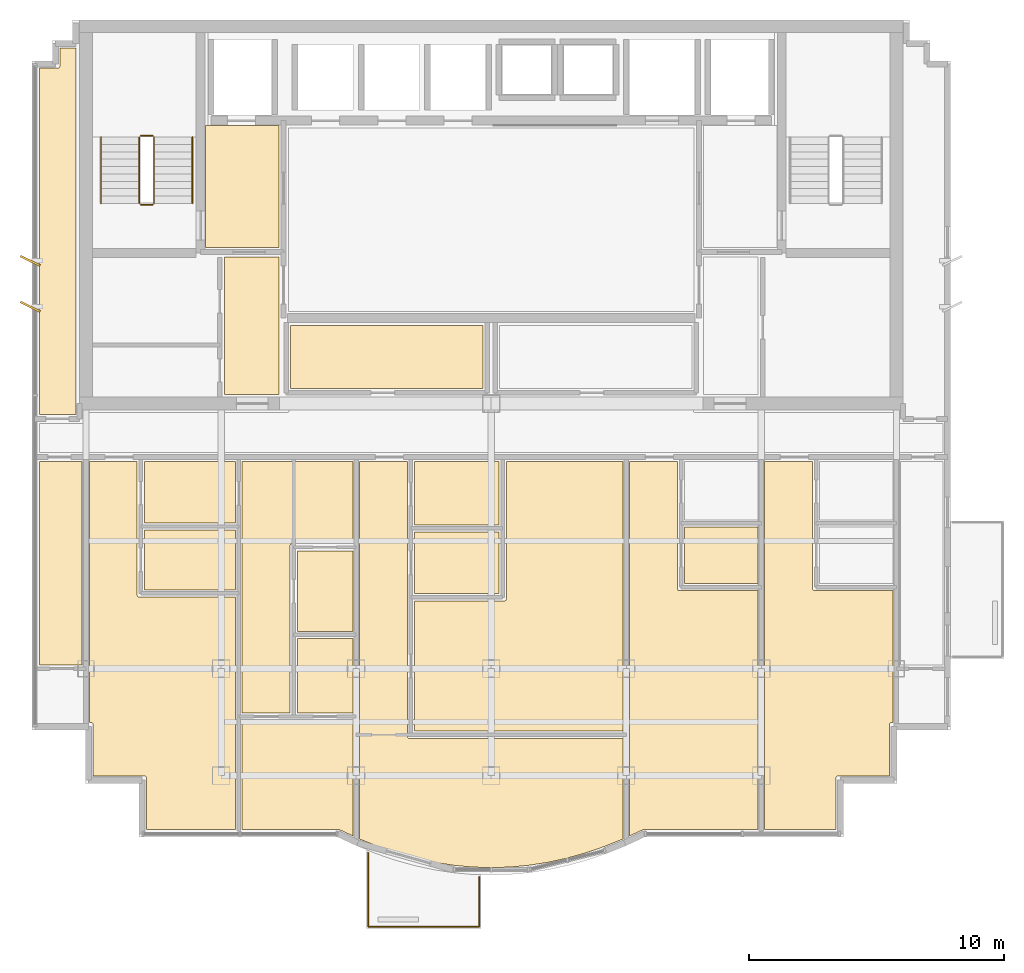
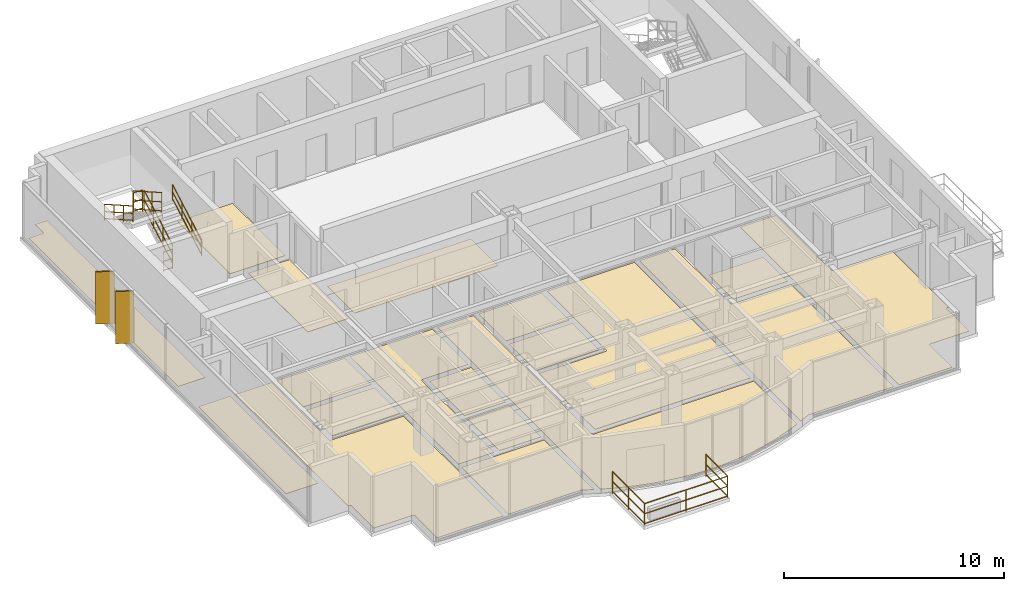
# One storey, part 8 of 9: 19 coverings, 7 railings, 2 shading devices.
"""IFC4 building model written with IfcOpenShell, lengths in metres."""

from ifc_helpers import new_model, si_unit, direction, frame, origin, origin_2d, place, context, subcontext, project, spatial, polyline, rectangle, circle, outline, extrude, source, transform, mapped, material, layer, layer_set, type_object, element, save


model = new_model("IFC4")

# Units and contexts
model_context = context("Model", 3, precision=1e-05, world=origin(), true_north=direction((0.0, 1.0)))
body_context = subcontext(model_context, "Body", "Model", "MODEL_VIEW")
ifc_project = project(units=[si_unit("LENGTHUNIT", "METRE"), si_unit("AREAUNIT", "SQUARE_METRE"), si_unit("VOLUMEUNIT", "CUBIC_METRE"), si_unit("PLANEANGLEUNIT", "RADIAN"), si_unit("MASSUNIT", "GRAM", prefix="KILO")], contexts=[model_context])

# Site, building, storey
site_placement = place(None, origin())
site = spatial("IfcSite", under=ifc_project, at=site_placement, CompositionType="ELEMENT")
building_placement = place(site_placement, origin())
building = spatial("IfcBuilding", under=site, at=building_placement, Name="Qianlan Lanfeng Residences", CompositionType="ELEMENT")
storey_placement = place(building_placement, frame((0.0, 0.0, 246.199951171875)))
storey = spatial("IfcBuildingStorey", under=building, at=storey_placement, Name="L68", CompositionType="ELEMENT", Elevation=246.199951171875)

# Coverings
ifc_material_1 = material(Name="Honed Taitung Granite Stone Flooring", Category="masonry")
ifc_layer_1 = layer(ifc_material_1, 0.030029296875)
ifc_layer_set_1 = layer_set([ifc_layer_1], Name="Honed Taitung Granite Stone Flooring")
covering_type_1 = type_object("IfcCoveringType", Name="FLR-STN-30", PredefinedType="FLOORING", material=ifc_layer_set_1)
covering_1_placement = place(storey_placement, origin())
element("IfcCovering", 1, at=covering_1_placement, inside=storey, type_object=covering_type_1, Name="L68 Firefighting Lift Lobby Floor Finish", PredefinedType="FLOORING", context=body_context, shape_type="SweptSolid", body=[
    extrude(outline(polyline([(15.2900390625, 31.320068359375), (18.179931640625, 31.320068359375), (18.179931640625, 36.110107421875), (15.2900390625, 36.110107421875), (15.2900390625, 31.320068359375)])), origin(), (0.0, 0.0, 1.0), 0.030029296875),
])
covering_2_placement = place(storey_placement, origin())
element("IfcCovering", 2, at=covering_2_placement, inside=storey, type_object=covering_type_1, Name="L68 Lift Lobby Floor Finish", PredefinedType="FLOORING", context=body_context, shape_type="SweptSolid", body=[
    extrude(outline(polyline([(16.030029296875, 25.56005859375), (18.169921875, 25.56005859375), (18.169921875, 30.949951171875), (16.030029296875, 30.949951171875), (16.030029296875, 25.56005859375)])), origin(), (0.0, 0.0, 1.0), 0.030029296875),
])
ifc_material_2 = material(Name="Slip-Resistant Porcelain Tile Flooring")
ifc_layer_2 = layer(ifc_material_2, 0.02001953125)
ifc_layer_set_2 = layer_set([ifc_layer_2], Name="Slip-Resistant Porcelain Tile Flooring")
covering_type_2 = type_object("IfcCoveringType", Name="FLR-TIL-20", PredefinedType="FLOORING", material=ifc_layer_set_2)
covering_3_placement = place(storey_placement, origin())
element("IfcCovering", 3, at=covering_3_placement, inside=storey, type_object=covering_type_2, Name="L68 Kitchen Floor Finish", PredefinedType="FLOORING", context=body_context, shape_type="SweptSolid", body=[
    extrude(outline(polyline([(12.889892578125, 17.89306640625), (16.4599609375, 17.89306640625), (16.4599609375, 20.237060546875), (12.889892578125, 20.237060546875), (12.889892578125, 17.89306640625)])), origin(), (0.0, 0.0, 1.0), 0.02001953125),
])
covering_4_placement = place(storey_placement, origin())
element("IfcCovering", 4, at=covering_4_placement, inside=storey, type_object=covering_type_2, Name="L68 Bathroom Floor Finish", PredefinedType="FLOORING", context=body_context, shape_type="SweptSolid", body=[
    extrude(outline(polyline([(12.889892578125, 20.51708984375), (16.4599609375, 20.51708984375), (16.4599609375, 22.929931640625), (12.889892578125, 22.929931640625), (12.889892578125, 20.51708984375)])), origin(), (0.0, 0.0, 1.0), 0.02001953125),
])
covering_5_placement = place(storey_placement, origin())
element("IfcCovering", 5, at=covering_5_placement, inside=storey, type_object=covering_type_2, Name="L68 En-Suite Bathroom Floor Finish", PredefinedType="FLOORING", context=body_context, shape_type="SweptSolid", body=[
    extrude(outline(polyline([(18.889892578125, 13.06005859375), (21.070068359375, 13.06005859375), (21.070068359375, 15.97998046875), (18.889892578125, 15.97998046875), (18.889892578125, 13.06005859375)])), origin(), (0.0, 0.0, 1.0), 0.02001953125),
])
covering_6_placement = place(storey_placement, origin())
element("IfcCovering", 6, at=covering_6_placement, inside=storey, type_object=covering_type_2, Name="L68 Kitchen Floor Finish", PredefinedType="FLOORING", context=body_context, shape_type="SweptSolid", body=[
    extrude(outline(polyline([(23.489990234375, 17.739990234375), (26.81005859375, 17.739990234375), (26.81005859375, 20.159912109375), (23.489990234375, 20.159912109375), (23.489990234375, 17.739990234375)])), origin(), (0.0, 0.0, 1.0), 0.02001953125),
])
covering_7_placement = place(storey_placement, origin())
element("IfcCovering", 7, at=covering_7_placement, inside=storey, type_object=covering_type_2, Name="L68 Bathroom Floor Finish", PredefinedType="FLOORING", context=body_context, shape_type="SweptSolid", body=[
    extrude(outline(polyline([(23.489990234375, 20.43994140625), (26.81005859375, 20.43994140625), (26.81005859375, 22.929931640625), (23.489990234375, 22.929931640625), (23.489990234375, 20.43994140625)])), origin(), (0.0, 0.0, 1.0), 0.02001953125),
])
covering_8_placement = place(storey_placement, origin())
element("IfcCovering", 8, at=covering_8_placement, inside=storey, type_object=covering_type_2, Name="L68 Kitchen Floor Finish", PredefinedType="FLOORING", context=body_context, shape_type="SweptSolid", body=[
    extrude(outline(polyline([(34.090087890625, 18.139892578125), (36.9599609375, 18.139892578125), (36.9599609375, 20.360107421875), (34.090087890625, 20.360107421875), (34.090087890625, 18.139892578125)])), origin(), (0.0, 0.0, 1.0), 0.02001953125),
])
ifc_material_3 = material(Name="Engineered Smoked Oak Timber Flooring", Category="wood")
ifc_layer_3 = layer(ifc_material_3, 0.02197265625)
ifc_layer_set_3 = layer_set([ifc_layer_3], Name="Engineered Smoked Oak Timber Flooring")
covering_type_3 = type_object("IfcCoveringType", Name="FLR-TIM-22", PredefinedType="FLOORING", material=ifc_layer_set_3)
covering_9_placement = place(storey_placement, origin())
element("IfcCovering", 9, at=covering_9_placement, inside=storey, type_object=covering_type_3, Name="L68 Gallery Salon Floor Finish", PredefinedType="FLOORING", context=body_context, shape_type="SweptSolid", body=[
    extrude(outline(polyline([(18.6298828125, 25.800048828125), (26.169921875, 25.800048828125), (26.169921875, 28.2548828125), (18.6298828125, 28.2548828125), (18.6298828125, 25.800048828125)])), origin(), (0.0, 0.0, 1.0), 0.02197265625),
])
covering_10_placement = place(storey_placement, origin())
element("IfcCovering", 10, at=covering_10_placement, inside=storey, type_object=covering_type_3, Name="L68 Living and Dining Room Floor Finish", PredefinedType="FLOORING", context=body_context, shape_type="SweptSolid", body=[
    extrude(outline(polyline([(16.469970703125, 8.489990234375), (16.469970703125, 17.613037109375), (12.679931640625, 17.613037109375), (12.673095703125, 17.613037109375), (12.666015625, 17.614013671875), (12.659912109375, 17.615966796875), (12.653076171875, 17.617919921875), (12.64697265625, 17.62109375), (12.64111328125, 17.625), (12.635986328125, 17.62890625), (12.631103515625, 17.634033203125), (12.6259765625, 17.638916015625), (12.6220703125, 17.64404296875), (12.617919921875, 17.64990234375), (12.614990234375, 17.656005859375), (12.613037109375, 17.6630859375), (12.611083984375, 17.6689453125), (12.610107421875, 17.676025390625), (12.610107421875, 17.68310546875), (12.610107421875, 22.929931640625), (10.72998046875, 22.929931640625), (10.72998046875, 12.68994140625), (10.800048828125, 12.68994140625), (10.806884765625, 12.68994140625), (10.81396484375, 12.68896484375), (10.820068359375, 12.68701171875), (10.826904296875, 12.68505859375), (10.8330078125, 12.681884765625), (10.839111328125, 12.677978515625), (10.843994140625, 12.674072265625), (10.84912109375, 12.6689453125), (10.85400390625, 12.6640625), (10.85791015625, 12.658935546875), (10.862060546875, 12.653076171875), (10.864990234375, 12.64697265625), (10.866943359375, 12.639892578125), (10.868896484375, 12.634033203125), (10.8701171875, 12.626953125), (10.8701171875, 12.6201171875), (10.8701171875, 10.590087890625), (12.89990234375, 10.590087890625), (12.906982421875, 10.590087890625), (12.9140625, 10.589111328125), (12.919921875, 10.5869140625), (12.927001953125, 10.5849609375), (12.93310546875, 10.58203125), (12.93896484375, 10.577880859375), (12.944091796875, 10.573974609375), (12.948974609375, 10.569091796875), (12.9541015625, 10.56396484375), (12.9580078125, 10.55908203125), (12.9619140625, 10.552978515625), (12.965087890625, 10.547119140625), (12.967041015625, 10.5400390625), (12.968994140625, 10.533935546875), (12.969970703125, 10.527099609375), (12.969970703125, 10.52001953125), (12.969970703125, 8.489990234375), (16.469970703125, 8.489990234375)])), origin(), (0.0, 0.0, 1.0), 0.02197265625),
])
covering_11_placement = place(storey_placement, origin())
element("IfcCovering", 11, at=covering_11_placement, inside=storey, type_object=covering_type_3, Name="L68 Private Study Floor Finish", PredefinedType="FLOORING", context=body_context, shape_type="SweptSolid", body=[
    extrude(outline(polyline([(18.889892578125, 16.260009765625), (21.070068359375, 16.260009765625), (21.070068359375, 19.419921875), (18.889892578125, 19.419921875), (18.889892578125, 16.260009765625)])), origin(), (0.0, 0.0, 1.0), 0.02197265625),
])
covering_12_placement = place(storey_placement, origin())
element("IfcCovering", 12, at=covering_12_placement, inside=storey, type_object=covering_type_3, Name="L68 Villa Family Sitting Room Floor Finish", PredefinedType="FLOORING", context=body_context, shape_type="SweptSolid", body=[
    extrude(outline(polyline([(16.72998046875, 13.06005859375), (18.610107421875, 13.06005859375), (18.610107421875, 19.6298828125), (18.610107421875, 19.636962890625), (18.611083984375, 19.64404296875), (18.613037109375, 19.64990234375), (18.614990234375, 19.656982421875), (18.617919921875, 19.6630859375), (18.6220703125, 19.6689453125), (18.6259765625, 19.674072265625), (18.631103515625, 19.678955078125), (18.635986328125, 19.68408203125), (18.64111328125, 19.68798828125), (18.64697265625, 19.69189453125), (18.653076171875, 19.695068359375), (18.659912109375, 19.697021484375), (18.666015625, 19.698974609375), (18.673095703125, 19.699951171875), (18.679931640625, 19.699951171875), (21.070068359375, 19.699951171875), (21.070068359375, 22.929931640625), (16.72998046875, 22.929931640625), (16.72998046875, 13.06005859375)])), origin(), (0.0, 0.0, 1.0), 0.02197265625),
])
covering_13_placement = place(storey_placement, origin())
element("IfcCovering", 13, at=covering_13_placement, inside=storey, type_object=covering_type_3, Name="L68 Master Bedroom Floor Finish", PredefinedType="FLOORING", context=body_context, shape_type="SweptSolid", body=[
    extrude(outline(polyline([(16.72998046875, 12.780029296875), (16.72998046875, 8.489990234375), (20.509033203125, 8.489990234375), (20.51611328125, 8.489990234375), (20.52392578125, 8.488037109375), (20.531005859375, 8.486083984375), (20.5380859375, 8.48291015625), (21.070068359375, 8.236083984375), (21.070068359375, 12.780029296875), (16.72998046875, 12.780029296875)])), origin(), (0.0, 0.0, 1.0), 0.02197265625),
])
covering_14_placement = place(storey_placement, origin())
element("IfcCovering", 14, at=covering_14_placement, inside=storey, type_object=covering_type_3, Name="L68 Studio Living Room Floor Finish", PredefinedType="FLOORING", context=body_context, shape_type="SweptSolid", body=[
    extrude(outline(polyline([(31.669921875, 8.114013671875), (31.669921875, 12.06298828125), (23.280029296875, 12.06298828125), (23.27294921875, 12.06298828125), (23.26611328125, 12.06396484375), (23.260009765625, 12.06591796875), (23.2529296875, 12.068115234375), (23.2470703125, 12.071044921875), (23.240966796875, 12.074951171875), (23.236083984375, 12.0791015625), (23.23095703125, 12.083984375), (23.22607421875, 12.089111328125), (23.221923828125, 12.093994140625), (23.218017578125, 12.10009765625), (23.215087890625, 12.10595703125), (23.212890625, 12.113037109375), (23.2109375, 12.118896484375), (23.2099609375, 12.1259765625), (23.2099609375, 12.133056640625), (23.2099609375, 22.929931640625), (21.330078125, 22.929931640625), (21.330078125, 8.114013671875), (21.3310546875, 8.114013671875), (22.071044921875, 7.81591796875), (22.81103515625, 7.56298828125), (23.550048828125, 7.35693359375), (24.2880859375, 7.196044921875), (25.02587890625, 7.08203125), (25.762939453125, 7.012939453125), (26.5, 6.989990234375), (27.237060546875, 7.012939453125), (27.97412109375, 7.08203125), (28.7119140625, 7.196044921875), (29.449951171875, 7.35693359375), (30.18896484375, 7.56298828125), (30.928955078125, 7.81591796875), (31.6689453125, 8.114013671875), (31.669921875, 8.114013671875)])), origin(), (0.0, 0.0, 1.0), 0.02197265625),
])
covering_15_placement = place(storey_placement, origin())
element("IfcCovering", 15, at=covering_15_placement, inside=storey, type_object=covering_type_3, Name="L68 Villa Family Sitting Room Floor Finish", PredefinedType="FLOORING", context=body_context, shape_type="SweptSolid", body=[
    extrude(outline(polyline([(23.489990234375, 12.343017578125), (31.669921875, 12.343017578125), (31.669921875, 22.929931640625), (27.090087890625, 22.929931640625), (27.090087890625, 17.530029296875), (27.090087890625, 17.52294921875), (27.089111328125, 17.51611328125), (27.0869140625, 17.510009765625), (27.0849609375, 17.5029296875), (27.08203125, 17.4970703125), (27.077880859375, 17.490966796875), (27.073974609375, 17.486083984375), (27.069091796875, 17.48095703125), (27.06396484375, 17.47607421875), (27.05908203125, 17.471923828125), (27.052978515625, 17.468017578125), (27.047119140625, 17.465087890625), (27.0400390625, 17.462890625), (27.033935546875, 17.4609375), (27.027099609375, 17.4599609375), (27.02001953125, 17.4599609375), (23.489990234375, 17.4599609375), (23.489990234375, 12.343017578125)])), origin(), (0.0, 0.0, 1.0), 0.02197265625),
])
covering_16_placement = place(storey_placement, origin())
element("IfcCovering", 16, at=covering_16_placement, inside=storey, type_object=covering_type_3, Name="L68 Studio Living Room Floor Finish", PredefinedType="FLOORING", context=body_context, shape_type="SweptSolid", body=[
    extrude(outline(polyline([(36.969970703125, 8.489990234375), (36.969970703125, 17.860107421875), (33.8798828125, 17.860107421875), (33.873046875, 17.860107421875), (33.865966796875, 17.861083984375), (33.860107421875, 17.863037109375), (33.85302734375, 17.864990234375), (33.846923828125, 17.867919921875), (33.841064453125, 17.8720703125), (33.8359375, 17.8759765625), (33.8310546875, 17.881103515625), (33.825927734375, 17.885986328125), (33.822021484375, 17.89111328125), (33.818115234375, 17.89697265625), (33.81494140625, 17.903076171875), (33.81298828125, 17.909912109375), (33.81103515625, 17.916015625), (33.81005859375, 17.923095703125), (33.81005859375, 17.929931640625), (33.81005859375, 22.929931640625), (31.929931640625, 22.929931640625), (31.929931640625, 8.236083984375), (32.4619140625, 8.48291015625), (32.468994140625, 8.486083984375), (32.47607421875, 8.488037109375), (32.48388671875, 8.489990234375), (32.490966796875, 8.489990234375), (36.969970703125, 8.489990234375)])), origin(), (0.0, 0.0, 1.0), 0.02197265625),
])
covering_17_placement = place(storey_placement, origin())
element("IfcCovering", 17, at=covering_17_placement, inside=storey, type_object=covering_type_3, Name="L68 Studio Living Room Floor Finish", PredefinedType="FLOORING", context=body_context, shape_type="SweptSolid", body=[
    extrude(outline(polyline([(42.27001953125, 12.68994140625), (42.27001953125, 17.860107421875), (39.179931640625, 17.860107421875), (39.173095703125, 17.860107421875), (39.166015625, 17.861083984375), (39.159912109375, 17.863037109375), (39.153076171875, 17.864990234375), (39.14697265625, 17.867919921875), (39.14111328125, 17.8720703125), (39.135986328125, 17.8759765625), (39.131103515625, 17.881103515625), (39.1259765625, 17.885986328125), (39.1220703125, 17.89111328125), (39.117919921875, 17.89697265625), (39.114990234375, 17.903076171875), (39.113037109375, 17.909912109375), (39.111083984375, 17.916015625), (39.110107421875, 17.923095703125), (39.110107421875, 17.929931640625), (39.110107421875, 22.929931640625), (37.22998046875, 22.929931640625), (37.22998046875, 8.489990234375), (40.030029296875, 8.489990234375), (40.030029296875, 10.52001953125), (40.030029296875, 10.527099609375), (40.031005859375, 10.533935546875), (40.032958984375, 10.5400390625), (40.034912109375, 10.547119140625), (40.0380859375, 10.552978515625), (40.0419921875, 10.55908203125), (40.0458984375, 10.56396484375), (40.051025390625, 10.569091796875), (40.055908203125, 10.573974609375), (40.06103515625, 10.577880859375), (40.06689453125, 10.58203125), (40.072998046875, 10.5849609375), (40.080078125, 10.5869140625), (40.0859375, 10.589111328125), (40.093017578125, 10.590087890625), (40.10009765625, 10.590087890625), (42.1298828125, 10.590087890625), (42.1298828125, 12.6201171875), (42.1298828125, 12.626953125), (42.131103515625, 12.634033203125), (42.133056640625, 12.639892578125), (42.135009765625, 12.64697265625), (42.137939453125, 12.653076171875), (42.14208984375, 12.658935546875), (42.14599609375, 12.6640625), (42.15087890625, 12.6689453125), (42.156005859375, 12.674072265625), (42.160888671875, 12.677978515625), (42.1669921875, 12.681884765625), (42.173095703125, 12.68505859375), (42.179931640625, 12.68701171875), (42.18603515625, 12.68896484375), (42.193115234375, 12.68994140625), (42.199951171875, 12.68994140625), (42.27001953125, 12.68994140625)])), origin(), (0.0, 0.0, 1.0), 0.02197265625),
])
covering_18_placement = place(storey_placement, origin())
element("IfcCovering", 18, at=covering_18_placement, inside=storey, type_object=covering_type_3, Name="L68 Family Sitting Room Floor Finish", PredefinedType="FLOORING", context=body_context, shape_type="SweptSolid", body=[
    extrude(outline(polyline([(10.43994140625, 22.929931640625), (8.77001953125, 22.929931640625), (8.77001953125, 14.949951171875), (10.43994140625, 14.949951171875), (10.43994140625, 22.929931640625)])), origin(), (0.0, 0.0, 1.0), 0.02197265625),
])
covering_19_placement = place(storey_placement, origin())
element("IfcCovering", 19, at=covering_19_placement, inside=storey, type_object=covering_type_3, Name="L68 Conservatory Salon Floor Finish", PredefinedType="FLOORING", context=body_context, shape_type="SweptSolid", body=[
    extrude(outline(polyline([(10.199951171875, 24.77001953125), (10.199951171875, 39.159912109375), (9.570068359375, 39.159912109375), (9.570068359375, 38.429931640625), (9.570068359375, 38.423095703125), (9.569091796875, 38.416015625), (9.56689453125, 38.409912109375), (9.56494140625, 38.403076171875), (9.56201171875, 38.39697265625), (9.55810546875, 38.39111328125), (9.553955078125, 38.385986328125), (9.549072265625, 38.381103515625), (9.5439453125, 38.3759765625), (9.5390625, 38.3720703125), (9.532958984375, 38.367919921875), (9.527099609375, 38.364990234375), (9.52001953125, 38.363037109375), (9.513916015625, 38.361083984375), (9.507080078125, 38.360107421875), (9.5, 38.360107421875), (8.77001953125, 38.360107421875), (8.77001953125, 24.77001953125), (10.199951171875, 24.77001953125)])), origin(), (0.0, 0.0, 1.0), 0.02197265625),
])

# Railings
ifc_material_4 = material(Name="Anodised Bronze Aluminium and Laminated Glass Guard Balustrade", Category="aluminium")
railing_type_1 = type_object("IfcRailingType", Name="GR-EXT-1220", PredefinedType="BALUSTRADE", material=ifc_material_4)
railing_1_placement = place(storey_placement, frame((26.030029296875, 6.64404296875, 0.0)))
element("IfcRailing", 20, at=railing_1_placement, inside=storey, type_object=railing_type_1, Name="L68 Terrace Safety Guard GR-L68-SB-C", PredefinedType="BALUSTRADE", context=body_context, shape_type="SweptSolid", body=[
    extrude(circle(Radius=0.02490234375, at=origin_2d()), frame((0.0, 0.0, 0.0849609375), z_axis=(0.0, -1.0, 0.0), x_axis=(1.0, 0.0, 0.0)), (0.0, 0.0, 1.0), 1.97412109375),
    extrude(circle(Radius=0.02490234375, at=origin_2d()), frame((0.0, 0.0, 0.63427734375), z_axis=(0.0, -1.0, 0.0), x_axis=(1.0, 0.0, 0.0)), (0.0, 0.0, 1.0), 1.97412109375),
    extrude(circle(Radius=0.02490234375, at=origin_2d()), frame((0.0, 0.0, 1.19482421875), z_axis=(0.0, -1.0, 0.0), x_axis=(1.0, 0.0, 0.0)), (0.0, 0.0, 1.0), 1.97412109375),
    extrude(circle(Radius=0.02490234375, at=origin_2d()), frame((0.0, -1.97412109375, 0.0849609375), z_axis=(-1.0, 0.0, 0.0), x_axis=(0.0, -1.0, 0.0)), (0.0, 0.0, 1.0), 4.360107421875),
    extrude(circle(Radius=0.02490234375, at=origin_2d()), frame((0.0, -1.97412109375, 0.63427734375), z_axis=(-1.0, 0.0, 0.0), x_axis=(0.0, -1.0, 0.0)), (0.0, 0.0, 1.0), 4.360107421875),
    extrude(circle(Radius=0.02490234375, at=origin_2d()), frame((0.0, -1.97412109375, 1.19482421875), z_axis=(-1.0, 0.0, 0.0), x_axis=(0.0, -1.0, 0.0)), (0.0, 0.0, 1.0), 4.360107421875),
    extrude(circle(Radius=0.02490234375, at=origin_2d()), frame((-4.360107421875, -1.97412109375, 0.0849609375), z_axis=(0.0, 1.0, 0.0), x_axis=(-1.0, 0.0, 0.0)), (0.0, 0.0, 1.0), 2.919189453125),
    extrude(circle(Radius=0.02490234375, at=origin_2d()), frame((-4.360107421875, -1.97412109375, 0.63427734375), z_axis=(0.0, 1.0, 0.0), x_axis=(-1.0, 0.0, 0.0)), (0.0, 0.0, 1.0), 2.919189453125),
    extrude(circle(Radius=0.02490234375, at=origin_2d()), frame((-4.360107421875, -1.97412109375, 1.19482421875), z_axis=(0.0, 1.0, 0.0), x_axis=(-1.0, 0.0, 0.0)), (0.0, 0.0, 1.0), 2.919189453125),
    extrude(circle(Radius=0.02099609375, at=origin_2d()), origin(), (0.0, 0.0, 1.0), 1.169921875),
    extrude(circle(Radius=0.02099609375, at=origin_2d()), frame((0.0, -1.97412109375, 0.0)), (0.0, 0.0, 1.0), 1.169921875),
    extrude(circle(Radius=0.02099609375, at=origin_2d()), frame((-2.18017578125, -1.97412109375, 0.0)), (0.0, 0.0, 1.0), 1.169921875),
    extrude(circle(Radius=0.02099609375, at=origin_2d()), frame((-4.360107421875, -1.97412109375, 0.0)), (0.0, 0.0, 1.0), 1.169921875),
    extrude(circle(Radius=0.02099609375, at=origin_2d()), frame((-4.360107421875, -0.5146484375, 0.0)), (0.0, 0.0, 1.0), 1.169921875),
    extrude(circle(Radius=0.02099609375, at=origin_2d()), frame((-4.360107421875, 0.945068359375, 0.0)), (0.0, 0.0, 1.0), 1.169921875),
])
ifc_material_5 = material(Name="Painted Galvanised Steel Guardrail", Category="steel")
railing_type_2 = type_object("IfcRailingType", Name="GR-ST-1120", PredefinedType="GUARDRAIL", material=ifc_material_5)
railing_2_placement = place(storey_placement, frame((13.27001953125, 33.050048828125, 0.1650390625)))
element("IfcRailing", 21, at=railing_2_placement, inside=storey, type_object=railing_type_2, Name="L68 ST-1 stair guard 1", PredefinedType="GUARDRAIL", context=body_context, shape_type="SweptSolid", body=[
    extrude(circle(Radius=0.02392578125, at=origin_2d()), frame((0.0, 0.0, 0.083984375), z_axis=(0.0, 0.869137319866, 0.494570843475), x_axis=(-1.0, 0.0, 0.0)), (0.0, 0.0, 1.0), 3.0029296875),
    extrude(circle(Radius=0.02392578125, at=origin_2d()), frame((0.0, 0.0, 0.58251953125), z_axis=(0.0, 0.869137319866, 0.494570843475), x_axis=(-1.0, 0.0, 0.0)), (0.0, 0.0, 1.0), 3.0029296875),
    extrude(circle(Radius=0.02392578125, at=origin_2d()), frame((0.0, 0.0, 1.09619140625), z_axis=(0.0, 0.869137319866, 0.494570843475), x_axis=(-1.0, 0.0, 0.0)), (0.0, 0.0, 1.0), 3.0029296875),
    extrude(circle(Radius=0.02099609375, at=origin_2d()), origin(), (0.0, 0.0, 1.0), 1.072021484375),
    extrude(circle(Radius=0.02099609375, at=origin_2d()), frame((0.0, 0.869873046875, 0.4951171875)), (0.0, 0.0, 1.0), 1.072021484375),
    extrude(circle(Radius=0.02099609375, at=origin_2d()), frame((0.0, 1.739990234375, 0.989990234375)), (0.0, 0.0, 1.0), 1.072021484375),
    extrude(circle(Radius=0.02099609375, at=origin_2d()), frame((0.0, 2.60986328125, 1.485107421875)), (0.0, 0.0, 1.0), 1.072021484375),
])
railing_3_placement = place(storey_placement, frame((13.219970703125, 35.7099609375, 1.650146484375)))
element("IfcRailing", 22, at=railing_3_placement, inside=storey, type_object=railing_type_2, Name="L68 ST-1 stair guard 2", PredefinedType="GUARDRAIL", context=body_context, shape_type="SweptSolid", body=[
    extrude(circle(Radius=0.02392578125, at=origin_2d()), frame((0.0, 0.0, 0.083984375), z_axis=(-1.0, 0.0, 0.0), x_axis=(0.0, -1.0, 0.0)), (0.0, 0.0, 1.0), 0.47998046875),
    extrude(circle(Radius=0.02392578125, at=origin_2d()), frame((0.0, 0.0, 0.58251953125), z_axis=(-1.0, 0.0, 0.0), x_axis=(0.0, -1.0, 0.0)), (0.0, 0.0, 1.0), 0.47998046875),
    extrude(circle(Radius=0.02392578125, at=origin_2d()), frame((0.0, 0.0, 1.09619140625), z_axis=(-1.0, 0.0, 0.0), x_axis=(0.0, -1.0, 0.0)), (0.0, 0.0, 1.0), 0.47998046875),
    extrude(circle(Radius=0.02099609375, at=origin_2d()), origin(), (0.0, 0.0, 1.0), 1.072021484375),
    extrude(circle(Radius=0.02099609375, at=origin_2d()), frame((-0.47998046875, 0.0, 0.0)), (0.0, 0.0, 1.0), 1.072021484375),
])
railing_4_placement = place(storey_placement, frame((12.68994140625, 35.659912109375, 1.81494140625)))
element("IfcRailing", 23, at=railing_4_placement, inside=storey, type_object=railing_type_2, Name="L68 ST-1 stair guard 3", PredefinedType="GUARDRAIL", context=body_context, shape_type="SweptSolid", body=[
    extrude(circle(Radius=0.02392578125, at=origin_2d()), frame((0.0, 0.0, 0.083984375), z_axis=(0.0, -0.869137319866, 0.494570843475), x_axis=(1.0, 0.0, 0.0)), (0.0, 0.0, 1.0), 3.0029296875),
    extrude(circle(Radius=0.02392578125, at=origin_2d()), frame((0.0, 0.0, 0.58251953125), z_axis=(0.0, -0.869137319866, 0.494570843475), x_axis=(1.0, 0.0, 0.0)), (0.0, 0.0, 1.0), 3.0029296875),
    extrude(circle(Radius=0.02392578125, at=origin_2d()), frame((0.0, 0.0, 1.09619140625), z_axis=(0.0, -0.869137319866, 0.494570843475), x_axis=(1.0, 0.0, 0.0)), (0.0, 0.0, 1.0), 3.0029296875),
    extrude(circle(Radius=0.02099609375, at=origin_2d()), origin(), (0.0, 0.0, 1.0), 1.072021484375),
    extrude(circle(Radius=0.02099609375, at=origin_2d()), frame((0.0, -0.869873046875, 0.4951171875)), (0.0, 0.0, 1.0), 1.072021484375),
    extrude(circle(Radius=0.02099609375, at=origin_2d()), frame((0.0, -1.739990234375, 0.989990234375)), (0.0, 0.0, 1.0), 1.072021484375),
    extrude(circle(Radius=0.02099609375, at=origin_2d()), frame((0.0, -2.60986328125, 1.485107421875)), (0.0, 0.0, 1.0), 1.072021484375),
])
railing_5_placement = place(storey_placement, frame((13.219970703125, 33.0, 0.0)))
element("IfcRailing", 24, at=railing_5_placement, inside=storey, type_object=railing_type_2, Name="L68 ST-1 stair guard 4", PredefinedType="GUARDRAIL", context=body_context, shape_type="SweptSolid", body=[
    extrude(circle(Radius=0.02392578125, at=origin_2d()), frame((0.0, 0.0, 0.083984375), z_axis=(-1.0, 0.0, 0.0), x_axis=(0.0, -1.0, 0.0)), (0.0, 0.0, 1.0), 0.47998046875),
    extrude(circle(Radius=0.02392578125, at=origin_2d()), frame((0.0, 0.0, 0.58251953125), z_axis=(-1.0, 0.0, 0.0), x_axis=(0.0, -1.0, 0.0)), (0.0, 0.0, 1.0), 0.47998046875),
    extrude(circle(Radius=0.02392578125, at=origin_2d()), frame((0.0, 0.0, 1.09619140625), z_axis=(-1.0, 0.0, 0.0), x_axis=(0.0, -1.0, 0.0)), (0.0, 0.0, 1.0), 0.47998046875),
    extrude(circle(Radius=0.02099609375, at=origin_2d()), origin(), (0.0, 0.0, 1.0), 1.072021484375),
    extrude(circle(Radius=0.02099609375, at=origin_2d()), frame((-0.47998046875, 0.0, 0.0)), (0.0, 0.0, 1.0), 1.072021484375),
])
ifc_material_6 = material(Name="Brushed Stainless Steel Handrail", Category="steel")
railing_type_3 = type_object("IfcRailingType", Name="HR-ST-920", PredefinedType="HANDRAIL", material=ifc_material_6)
railing_6_placement = place(storey_placement, frame((14.77001953125, 33.050048828125, 0.1650390625)))
element("IfcRailing", 25, at=railing_6_placement, inside=storey, type_object=railing_type_3, Name="L68 ST-1 stair handrail 1", PredefinedType="HANDRAIL", context=body_context, shape_type="SweptSolid", body=[
    extrude(circle(Radius=0.02392578125, at=origin_2d()), frame((0.0, 0.0, 0.083984375), z_axis=(0.0, 0.869137319866, 0.494570843475), x_axis=(-1.0, 0.0, 0.0)), (0.0, 0.0, 1.0), 3.0029296875),
    extrude(circle(Radius=0.02392578125, at=origin_2d()), frame((0.0, 0.0, 0.468017578125), z_axis=(0.0, 0.869137319866, 0.494570843475), x_axis=(-1.0, 0.0, 0.0)), (0.0, 0.0, 1.0), 3.0029296875),
    extrude(circle(Radius=0.02392578125, at=origin_2d()), frame((0.0, 0.0, 0.8759765625), z_axis=(0.0, 0.869137319866, 0.494570843475), x_axis=(-1.0, 0.0, 0.0)), (0.0, 0.0, 1.0), 3.0029296875),
    extrude(circle(Radius=0.02099609375, at=origin_2d()), origin(), (0.0, 0.0, 1.0), 0.851806640625),
    extrude(circle(Radius=0.02099609375, at=origin_2d()), frame((0.0, 0.869873046875, 0.4951171875)), (0.0, 0.0, 1.0), 0.851806640625),
    extrude(circle(Radius=0.02099609375, at=origin_2d()), frame((0.0, 1.739990234375, 0.989990234375)), (0.0, 0.0, 1.0), 0.851806640625),
    extrude(circle(Radius=0.02099609375, at=origin_2d()), frame((0.0, 2.60986328125, 1.485107421875)), (0.0, 0.0, 1.0), 0.851806640625),
])
railing_7_placement = place(storey_placement, frame((11.18994140625, 35.659912109375, 1.81494140625)))
element("IfcRailing", 26, at=railing_7_placement, inside=storey, type_object=railing_type_3, Name="L68 ST-1 stair handrail 2", PredefinedType="HANDRAIL", context=body_context, shape_type="SweptSolid", body=[
    extrude(circle(Radius=0.02392578125, at=origin_2d()), frame((0.0, 0.0, 0.083984375), z_axis=(0.0, -0.869137319866, 0.494570843475), x_axis=(1.0, 0.0, 0.0)), (0.0, 0.0, 1.0), 3.0029296875),
    extrude(circle(Radius=0.02392578125, at=origin_2d()), frame((0.0, 0.0, 0.468017578125), z_axis=(0.0, -0.869137319866, 0.494570843475), x_axis=(1.0, 0.0, 0.0)), (0.0, 0.0, 1.0), 3.0029296875),
    extrude(circle(Radius=0.02392578125, at=origin_2d()), frame((0.0, 0.0, 0.8759765625), z_axis=(0.0, -0.869137319866, 0.494570843475), x_axis=(1.0, 0.0, 0.0)), (0.0, 0.0, 1.0), 3.0029296875),
    extrude(circle(Radius=0.02099609375, at=origin_2d()), origin(), (0.0, 0.0, 1.0), 0.851806640625),
    extrude(circle(Radius=0.02099609375, at=origin_2d()), frame((0.0, -0.869873046875, 0.4951171875)), (0.0, 0.0, 1.0), 0.851806640625),
    extrude(circle(Radius=0.02099609375, at=origin_2d()), frame((0.0, -1.739990234375, 0.989990234375)), (0.0, 0.0, 1.0), 0.851806640625),
    extrude(circle(Radius=0.02099609375, at=origin_2d()), frame((0.0, -2.60986328125, 1.485107421875)), (0.0, 0.0, 1.0), 0.851806640625),
])

# Shading devices
ifc_material_7 = material(Name="Anodised Bronze Aluminium Solar Fin", Category="aluminium")
shading_device_type = type_object("IfcShadingDeviceType", Name="FIN-BRZ-850", PredefinedType="SHUTTER", material=ifc_material_7)
shared_shape = source(origin(), body_context, "Body", "SweptSolid", [
    extrude(rectangle(XDim=0.85009765625, YDim=0.080078125, at=origin_2d()), origin(), (0.0, 0.0, 1.0), 2.89990234375),
])
for number, where, z_axis, x_axis, name in (
    (27, (8.409912109375, 29.0, 0.0), (0.0, 0.0, 1.0), (0.898794046299, -0.438371146789, 0.0), "L68 Raked Bronze Solar Fin W1"),
    (28, (8.409912109375, 30.800048828125, 0.0), (0.0, 0.0, 1.0), (0.898794046299, -0.438371146789, 0.0), "L68 Raked Bronze Solar Fin W2"),
):
    element("IfcShadingDevice", number, at=place(storey_placement, frame(where, z_axis=z_axis, x_axis=x_axis)), inside=storey, type_object=shading_device_type, Name=name, PredefinedType="SHUTTER", context=body_context, shape_type="MappedRepresentation", body=[
        mapped(shared_shape, transform((0.0, 0.0, 0.0), scale=1.0)),
    ])

save(model, "model.ifc")
